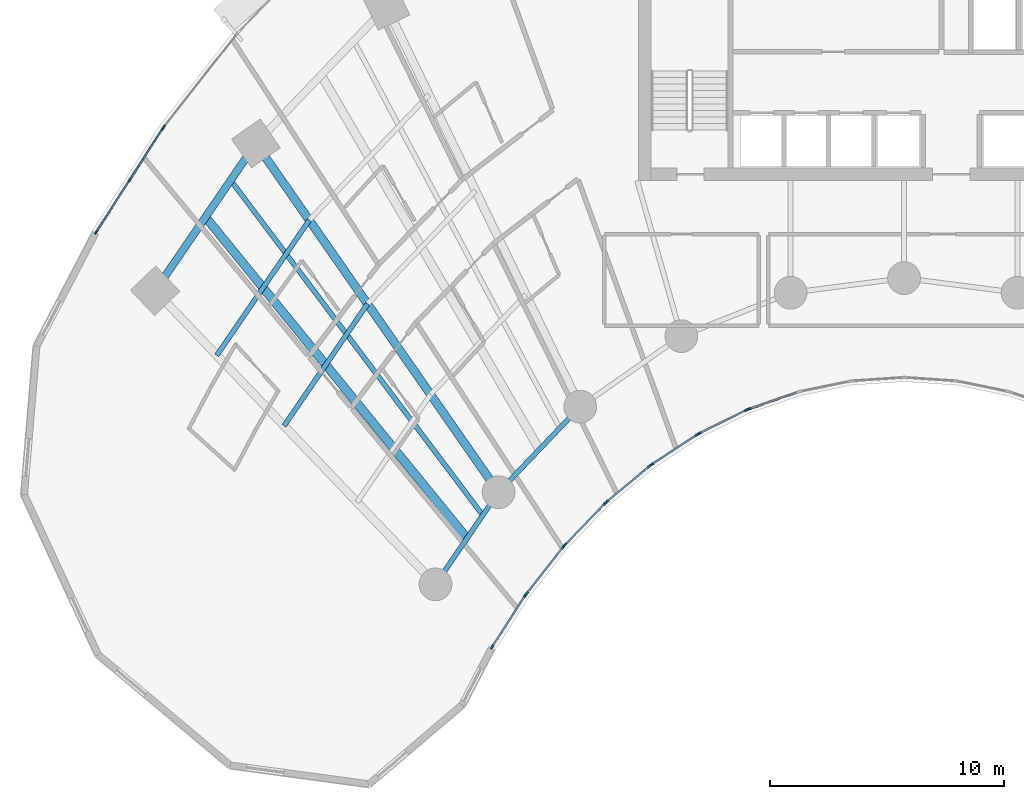
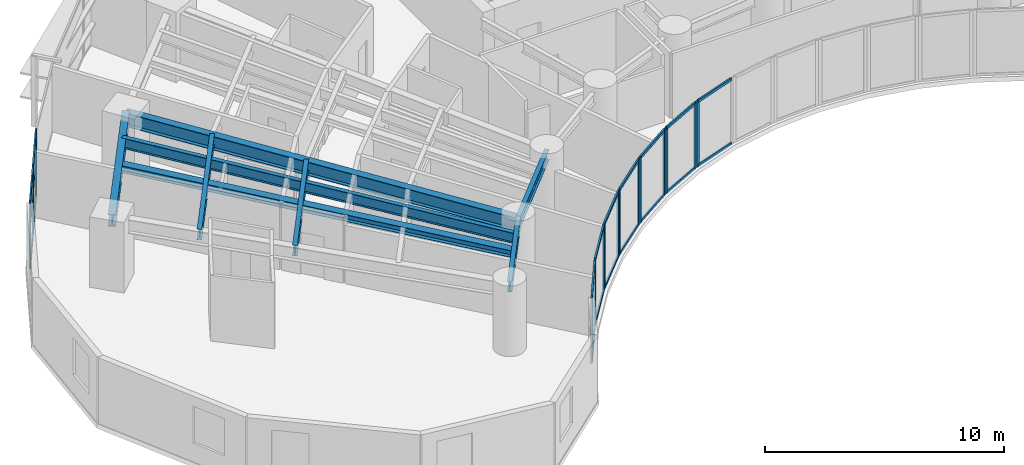
# One storey, part 2 of 18: 37 members, 8 beams, 9 elements without a shape of their own.
"""IFC4 building model written with IfcOpenShell, lengths in metres."""

from ifc_helpers import new_model, si_unit, direction, frame, origin, origin_2d, place, context, subcontext, project, spatial, rectangle, i_section, extrude, source, transform, mapped, material, layer, layer_set, material_profile, profile_set, type_object, type_shapes, element, aggregate, save


model = new_model("IFC4")

# Units and contexts
model_context = context("Model", 3, precision=1e-05, world=origin(), true_north=direction((0.0, 1.0)))
body_context = subcontext(model_context, "Body", "Model", "MODEL_VIEW")
ifc_project = project(units=[si_unit("LENGTHUNIT", "METRE"), si_unit("AREAUNIT", "SQUARE_METRE"), si_unit("VOLUMEUNIT", "CUBIC_METRE"), si_unit("PLANEANGLEUNIT", "RADIAN"), si_unit("MASSUNIT", "GRAM", prefix="KILO")], contexts=[model_context])

# Site, building, storey
site_placement = place(None, origin())
site = spatial("IfcSite", under=ifc_project, at=site_placement, CompositionType="ELEMENT")
building_placement = place(site_placement, origin())
building = spatial("IfcBuilding", under=site, at=building_placement, Name="Breltana Convention Tower", CompositionType="ELEMENT")
storey_placement = place(building_placement, frame((0.0, 0.0, 39.0)))
storey = spatial("IfcBuildingStorey", under=building, at=storey_placement, Name="L07", CompositionType="ELEMENT", Elevation=39.0)

# Beams
ifc_material_1 = material(Name="Steel ASTM A992 Grade 50", Category="steel")
ifc_material_profile_1 = material_profile(ifc_material_1, i_section(OverallWidth=0.323974609375, OverallDepth=0.611083984375, WebThickness=0.0126953125, FlangeThickness=0.01904296875, at=origin_2d()), Name="W24X104")
ifc_profile_set_1 = profile_set([ifc_material_profile_1], Name="Steel ASTM A992 Grade 50")
beam_type_1 = type_object("IfcBeamType", Name="BM-SP-W24X104", PredefinedType="SPANDREL", material=ifc_profile_set_1)
shared_shape_1 = source(origin(), body_context, "Body", "SweptSolid", [
    extrude(i_section(OverallWidth=0.323974609375, OverallDepth=0.611083984375, WebThickness=0.0126953125, FlangeThickness=0.01904296875, at=origin_2d()), origin(), (0.0, 0.0, 1.0), 7.625),
])
type_shapes(beam_type_1, [shared_shape_1])
beam_1_placement = place(storey_placement, frame((16.0068359375, 55.494384765625, 3.054443359375), z_axis=(0.564452031902, 0.825465870694, 0.0), x_axis=(-0.825465870694, 0.564452031902, 0.0)))
element("IfcBeam", 1, at=beam_1_placement, inside=storey, type_object=beam_type_1, Name="L07 Outer Spandrel Beam 01", PredefinedType="SPANDREL", context=body_context, shape_type="MappedRepresentation", body=[
    mapped(shared_shape_1, transform((0.0, 0.0, 0.0), scale=1.0)),
])
ifc_material_profile_2 = material_profile(ifc_material_1, i_section(OverallWidth=0.35498046875, OverallDepth=0.696044921875, WebThickness=0.015380859375, FlangeThickness=0.02490234375, at=origin_2d()), Name="W27X146")
ifc_profile_set_2 = profile_set([ifc_material_profile_2], Name="Steel ASTM A992 Grade 50")
beam_type_2 = type_object("IfcBeamType", Name="BM-RG-W27X146", PredefinedType="USERDEFINED", material=ifc_profile_set_2)
shared_shape_2 = source(origin(), body_context, "Body", "SweptSolid", [
    extrude(i_section(OverallWidth=0.35498046875, OverallDepth=0.696044921875, WebThickness=0.015380859375, FlangeThickness=0.02490234375, at=origin_2d()), origin(), (0.0, 0.0, 1.0), 18.1484375),
])
beam_2_placement = place(storey_placement, frame((30.67724609375, 46.892333984375, 3.011962890625), z_axis=(-0.571207556098, 0.820805657788, 0.0), x_axis=(-0.820805657788, -0.571207556098, 0.0)))
element("IfcBeam", 2, at=beam_2_placement, inside=storey, type_object=beam_type_2, Name="L07 Radial Floor Girder R02", ObjectType="GIRDER", PredefinedType="USERDEFINED", context=body_context, shape_type="MappedRepresentation", body=[
    mapped(shared_shape_2, transform((0.0, 0.0, 0.0), scale=1.0)),
])
ifc_material_profile_3 = material_profile(ifc_material_1, i_section(OverallWidth=0.2099609375, OverallDepth=0.537109375, WebThickness=0.010986328125, FlangeThickness=0.017333984375, at=origin_2d()), Name="W21X68")
ifc_profile_set_3 = profile_set([ifc_material_profile_3], Name="Steel ASTM A992 Grade 50")
beam_type_3 = type_object("IfcBeamType", Name="BM-BM-W21X68", PredefinedType="BEAM", material=ifc_profile_set_3)
shared_shape_3 = source(origin(), body_context, "Body", "SweptSolid", [
    extrude(i_section(OverallWidth=0.2099609375, OverallDepth=0.537109375, WebThickness=0.010986328125, FlangeThickness=0.017333984375, at=origin_2d()), origin(), (0.0, 0.0, 1.0), 4.770263671875),
])
beam_3_placement = place(storey_placement, frame((27.984619140625, 42.95458984375, 3.091552734375), z_axis=(0.564452719055, 0.82546540082, 0.0), x_axis=(-0.82546540082, 0.564452719055, 0.0)))
element("IfcBeam", 3, at=beam_3_placement, inside=storey, type_object=beam_type_3, Name="L07 Inner Ring Beam 01", PredefinedType="BEAM", context=body_context, shape_type="MappedRepresentation", body=[
    mapped(shared_shape_3, transform((0.0, 0.0, 0.0), scale=1.0)),
])
shared_shape_4 = source(origin(), body_context, "Body", "SweptSolid", [
    extrude(i_section(OverallWidth=0.2099609375, OverallDepth=0.537109375, WebThickness=0.010986328125, FlangeThickness=0.017333984375, at=origin_2d()), origin(), (0.0, 0.0, 1.0), 5.05126953125),
])
beam_4_placement = place(storey_placement, frame((30.67724609375, 46.892333984375, 3.091552734375), z_axis=(0.690729753845, 0.7231129975, 0.0), x_axis=(-0.7231129975, 0.690729753845, 0.0)))
element("IfcBeam", 4, at=beam_4_placement, inside=storey, type_object=beam_type_3, Name="L07 Inner Ring Beam 02", PredefinedType="BEAM", context=body_context, shape_type="MappedRepresentation", body=[
    mapped(shared_shape_4, transform((0.0, 0.0, 0.0), scale=1.0)),
])
ifc_material_profile_4 = material_profile(ifc_material_1, i_section(OverallWidth=0.2099609375, OverallDepth=0.537109375, WebThickness=0.010986328125, FlangeThickness=0.017333984375, at=origin_2d()), Name="W21X68")
ifc_profile_set_4 = profile_set([ifc_material_profile_4], Name="Steel ASTM A992 Grade 50")
beam_type_4 = type_object("IfcBeamType", Name="BM-JSG-04", PredefinedType="JOIST", material=ifc_profile_set_4)
shared_shape_5 = source(origin(), body_context, "Body", "SweptSolid", [
    extrude(i_section(OverallWidth=0.2099609375, OverallDepth=0.537109375, WebThickness=0.010986328125, FlangeThickness=0.017333984375, at=origin_2d()), origin(), (0.0, 0.0, 1.0), 6.311767578125),
])
beam_5_placement = place(storey_placement, frame((21.5166015625, 49.72607421875, 3.091552734375), z_axis=(0.564453712577, 0.825464721449, 0.0), x_axis=(-0.825464721449, 0.564453712577, 0.0)))
element("IfcBeam", 5, at=beam_5_placement, inside=storey, type_object=beam_type_4, Name="L07 Composite Floor Joist 01.2", PredefinedType="JOIST", context=body_context, shape_type="MappedRepresentation", body=[
    mapped(shared_shape_5, transform((0.0, 0.0, 0.0), scale=1.0)),
])
shared_shape_6 = source(origin(), body_context, "Body", "SweptSolid", [
    extrude(i_section(OverallWidth=0.2099609375, OverallDepth=0.537109375, WebThickness=0.010986328125, FlangeThickness=0.017333984375, at=origin_2d()), origin(), (0.0, 0.0, 1.0), 6.997314453125),
])
beam_6_placement = place(storey_placement, frame((18.641845703125, 52.735595703125, 3.091552734375), z_axis=(0.564468756361, 0.825454434292, 0.0), x_axis=(-0.825454434292, 0.564468756361, 0.0)))
element("IfcBeam", 6, at=beam_6_placement, inside=storey, type_object=beam_type_4, Name="L07 Composite Floor Joist 01.3", PredefinedType="JOIST", context=body_context, shape_type="MappedRepresentation", body=[
    mapped(shared_shape_6, transform((0.0, 0.0, 0.0), scale=1.0)),
])
ifc_material_profile_5 = material_profile(ifc_material_1, i_section(OverallWidth=0.368896484375, OverallDepth=0.35595703125, WebThickness=0.01123046875, FlangeThickness=0.01806640625, at=origin_2d()), Name="W14X90")
ifc_profile_set_5 = profile_set([ifc_material_profile_5], Name="Steel ASTM A992 Grade 50")
beam_type_5 = type_object("IfcBeamType", Name="BM-JSG-09", PredefinedType="JOIST", material=ifc_profile_set_5)
shared_shape_7 = source(origin(), body_context, "Body", "SweptSolid", [
    extrude(i_section(OverallWidth=0.368896484375, OverallDepth=0.35595703125, WebThickness=0.01123046875, FlangeThickness=0.01806640625, at=origin_2d()), origin(), (0.0, 0.0, 1.0), 17.691650390625),
])
type_shapes(beam_type_5, [shared_shape_7])
beam_7_placement = place(storey_placement, frame((29.330810546875, 44.923583984375, 3.181884765625), z_axis=(-0.631476958478, 0.775394642044, 0.0), x_axis=(-0.775394642044, -0.631476958478, 0.0)))
element("IfcBeam", 7, at=beam_7_placement, inside=storey, type_object=beam_type_5, Name="L07 Mid-Bay Radial Trimmer 01", PredefinedType="JOIST", context=body_context, shape_type="MappedRepresentation", body=[
    mapped(shared_shape_7, transform((0.0, 0.0, 0.0), scale=1.0)),
])
shared_shape_8 = source(origin(), body_context, "Body", "SweptSolid", [
    extrude(i_section(OverallWidth=0.2099609375, OverallDepth=0.537109375, WebThickness=0.010986328125, FlangeThickness=0.017333984375, at=origin_2d()), origin(), (0.0, 0.0, 1.0), 17.9072265625),
])
beam_8_placement = place(storey_placement, frame((30.00390625, 45.907958984375, 3.091552734375), z_axis=(-0.601382105028, 0.798961553363, 0.0), x_axis=(-0.798961553363, -0.601382105028, 0.0)))
element("IfcBeam", 8, at=beam_8_placement, inside=storey, type_object=beam_type_4, Name="L07 Quarter-Bay Radial Trimmer 01", PredefinedType="JOIST", context=body_context, shape_type="MappedRepresentation", body=[
    mapped(shared_shape_8, transform((0.0, 0.0, 0.0), scale=1.0)),
])

# Curtain wall, members
ifc_material_2 = material(Name="Aluminium Anodised Bronze Frame", Category="aluminium")
ifc_layer_1 = layer(ifc_material_2, 0.18994140625, Name="Aluminium Anodised Bronze Frame")
ifc_layer_set_1 = layer_set([ifc_layer_1], Name="Aluminium Anodised Bronze Frame")
curtain_wall_type_1 = type_object("IfcCurtainWallType", Name="CW-SYS-1", PredefinedType="NOTDEFINED", material=ifc_layer_set_1)
curtain_wall_1_placement = place(storey_placement, origin())
curtain_wall_1 = element("IfcCurtainWall", 9, at=curtain_wall_1_placement, inside=storey, type_object=curtain_wall_type_1, Name="L07 inner south-court glazing 16", PredefinedType="NOTDEFINED")
ifc_material_3 = material(Name="Aluminium Anodised Bronze", Category="aluminium")
ifc_material_profile_6 = material_profile(ifc_material_3, rectangle(XDim=0.080078125, YDim=0.139892578125, at=origin_2d()), Name="CWT-80X140")
ifc_profile_set_6 = profile_set([ifc_material_profile_6], Name="Aluminium Anodised Bronze")
member_type_1 = type_object("IfcMemberType", Name="CWT-140", PredefinedType="USERDEFINED", material=ifc_profile_set_6)
shared_shape_9 = source(origin(), body_context, "Body", "SweptSolid", [
    extrude(rectangle(XDim=0.080078125, YDim=0.139892578125, at=origin_2d()), origin(), (0.0, 0.0, 1.0), 2.38720703125),
])
type_shapes(member_type_1, [shared_shape_9])
member_1_placement = place(storey_placement, frame((35.2021484375, 46.385009765625, 0.0400390625), z_axis=(-0.694623715393, -0.719373264734, 0.0), x_axis=(0.719373264734, -0.694623715393, 0.0)))
member_1 = element("IfcMember", 10, at=member_1_placement, type_object=member_type_1, Name="CW-01 transom 1.1", ObjectType="TRANSOM", PredefinedType="USERDEFINED", context=body_context, shape_type="MappedRepresentation", body=[
    mapped(shared_shape_9, transform((0.0, 0.0, 0.0), scale=1.0)),
])
member_2_placement = place(storey_placement, frame((35.2021484375, 46.385009765625, 3.320068359375), z_axis=(-0.694623715393, -0.719373264734, 0.0), x_axis=(0.719373264734, -0.694623715393, 0.0)))
member_2 = element("IfcMember", 11, at=member_2_placement, type_object=member_type_1, Name="CW-01 transom 1.2", ObjectType="TRANSOM", PredefinedType="USERDEFINED", context=body_context, shape_type="MappedRepresentation", body=[
    mapped(shared_shape_9, transform((0.0, 0.0, 0.0), scale=1.0)),
])

curtain_wall_2_placement = place(storey_placement, origin())
curtain_wall_2 = element("IfcCurtainWall", 12, at=curtain_wall_2_placement, inside=storey, type_object=curtain_wall_type_1, Name="L07 inner south-court glazing 15", PredefinedType="NOTDEFINED")
shared_shape_10 = source(origin(), body_context, "Body", "SweptSolid", [
    extrude(rectangle(XDim=0.080078125, YDim=0.139892578125, at=origin_2d()), origin(), (0.0, 0.0, 1.0), 2.312255859375),
])
member_3_placement = place(storey_placement, frame((37.10888671875, 47.988037109375, 0.0400390625), z_axis=(-0.767900974507, -0.640568570374, 0.0), x_axis=(0.640568570374, -0.767900974507, 0.0)))
member_3 = element("IfcMember", 13, at=member_3_placement, type_object=member_type_1, Name="CW-01 transom 1.1", ObjectType="TRANSOM", PredefinedType="USERDEFINED", context=body_context, shape_type="MappedRepresentation", body=[
    mapped(shared_shape_10, transform((0.0, 0.0, 0.0), scale=1.0)),
])
member_4_placement = place(storey_placement, frame((37.10888671875, 47.988037109375, 3.320068359375), z_axis=(-0.767900974507, -0.640568570374, 0.0), x_axis=(0.640568570374, -0.767900974507, 0.0)))
member_4 = element("IfcMember", 14, at=member_4_placement, type_object=member_type_1, Name="CW-01 transom 1.2", ObjectType="TRANSOM", PredefinedType="USERDEFINED", context=body_context, shape_type="MappedRepresentation", body=[
    mapped(shared_shape_10, transform((0.0, 0.0, 0.0), scale=1.0)),
])

curtain_wall_3_placement = place(storey_placement, origin())
curtain_wall_3 = element("IfcCurtainWall", 15, at=curtain_wall_3_placement, inside=storey, type_object=curtain_wall_type_1, Name="L07 inner south-court glazing 14", PredefinedType="NOTDEFINED")
shared_shape_11 = source(origin(), body_context, "Body", "SweptSolid", [
    extrude(rectangle(XDim=0.080078125, YDim=0.139892578125, at=origin_2d()), origin(), (0.0, 0.0, 1.0), 2.2421875),
])
member_5_placement = place(storey_placement, frame((39.128173828125, 49.325927734375, 0.0400390625), z_axis=(-0.835982353773, -0.548756324957, 0.0), x_axis=(0.548756324957, -0.835982353773, 0.0)))
member_5 = element("IfcMember", 16, at=member_5_placement, type_object=member_type_1, Name="CW-01 transom 1.1", ObjectType="TRANSOM", PredefinedType="USERDEFINED", context=body_context, shape_type="MappedRepresentation", body=[
    mapped(shared_shape_11, transform((0.0, 0.0, 0.0), scale=1.0)),
])
member_6_placement = place(storey_placement, frame((39.128173828125, 49.325927734375, 3.320068359375), z_axis=(-0.835982353773, -0.548756324957, 0.0), x_axis=(0.548756324957, -0.835982353773, 0.0)))
member_6 = element("IfcMember", 17, at=member_6_placement, type_object=member_type_1, Name="CW-01 transom 1.2", ObjectType="TRANSOM", PredefinedType="USERDEFINED", context=body_context, shape_type="MappedRepresentation", body=[
    mapped(shared_shape_11, transform((0.0, 0.0, 0.0), scale=1.0)),
])

curtain_wall_4_placement = place(storey_placement, origin())
curtain_wall_4 = element("IfcCurtainWall", 18, at=curtain_wall_4_placement, inside=storey, type_object=curtain_wall_type_1, Name="L07 inner south-court glazing 13", PredefinedType="NOTDEFINED")
shared_shape_12 = source(origin(), body_context, "Body", "SweptSolid", [
    extrude(rectangle(XDim=0.080078125, YDim=0.139892578125, at=origin_2d()), origin(), (0.0, 0.0, 1.0), 2.180908203125),
])
member_7_placement = place(storey_placement, frame((41.239501953125, 50.384765625, 0.0400390625), z_axis=(-0.895922266369, -0.444210865045, 0.0), x_axis=(0.444210865045, -0.895922266369, 0.0)))
member_7 = element("IfcMember", 19, at=member_7_placement, type_object=member_type_1, Name="CW-01 transom 1.1", ObjectType="TRANSOM", PredefinedType="USERDEFINED", context=body_context, shape_type="MappedRepresentation", body=[
    mapped(shared_shape_12, transform((0.0, 0.0, 0.0), scale=1.0)),
])
member_8_placement = place(storey_placement, frame((41.239501953125, 50.384765625, 3.320068359375), z_axis=(-0.895922266369, -0.444210865045, 0.0), x_axis=(0.444210865045, -0.895922266369, 0.0)))
member_8 = element("IfcMember", 20, at=member_8_placement, type_object=member_type_1, Name="CW-01 transom 1.2", ObjectType="TRANSOM", PredefinedType="USERDEFINED", context=body_context, shape_type="MappedRepresentation", body=[
    mapped(shared_shape_12, transform((0.0, 0.0, 0.0), scale=1.0)),
])

curtain_wall_5_placement = place(storey_placement, origin())
curtain_wall_5 = element("IfcCurtainWall", 21, at=curtain_wall_5_placement, inside=storey, type_object=curtain_wall_type_1, Name="L07 inner south-court glazing 17", PredefinedType="NOTDEFINED")
shared_shape_13 = source(origin(), body_context, "Body", "SweptSolid", [
    extrude(rectangle(XDim=0.080078125, YDim=0.139892578125, at=origin_2d()), origin(), (0.0, 0.0, 1.0), 2.4638671875),
])
member_9_placement = place(storey_placement, frame((33.427001953125, 44.533447265625, 0.0400390625), z_axis=(-0.618184689608, -0.786032880695, 0.0), x_axis=(0.786032880695, -0.618184689608, 0.0)))
member_9 = element("IfcMember", 22, at=member_9_placement, type_object=member_type_1, Name="CW-01 transom 1.1", ObjectType="TRANSOM", PredefinedType="USERDEFINED", context=body_context, shape_type="MappedRepresentation", body=[
    mapped(shared_shape_13, transform((0.0, 0.0, 0.0), scale=1.0)),
])
member_10_placement = place(storey_placement, frame((33.427001953125, 44.533447265625, 3.320068359375), z_axis=(-0.618184689608, -0.786032880695, 0.0), x_axis=(0.786032880695, -0.618184689608, 0.0)))
member_10 = element("IfcMember", 23, at=member_10_placement, type_object=member_type_1, Name="CW-01 transom 1.2", ObjectType="TRANSOM", PredefinedType="USERDEFINED", context=body_context, shape_type="MappedRepresentation", body=[
    mapped(shared_shape_13, transform((0.0, 0.0, 0.0), scale=1.0)),
])

curtain_wall_6_placement = place(storey_placement, origin())
curtain_wall_6 = element("IfcCurtainWall", 24, at=curtain_wall_6_placement, inside=storey, type_object=curtain_wall_type_1, Name="L07 inner south-court glazing 18", PredefinedType="NOTDEFINED")
shared_shape_14 = source(origin(), body_context, "Body", "SweptSolid", [
    extrude(rectangle(XDim=0.080078125, YDim=0.139892578125, at=origin_2d()), origin(), (0.0, 0.0, 1.0), 2.53955078125),
])
member_11_placement = place(storey_placement, frame((31.801025390625, 42.452392578125, 0.0400390625), z_axis=(-0.540174413174, -0.841553090038, 0.0), x_axis=(0.841553090038, -0.540174413174, 0.0)))
member_11 = element("IfcMember", 25, at=member_11_placement, type_object=member_type_1, Name="CW-01 transom 1.1", ObjectType="TRANSOM", PredefinedType="USERDEFINED", context=body_context, shape_type="MappedRepresentation", body=[
    mapped(shared_shape_14, transform((0.0, 0.0, 0.0), scale=1.0)),
])
member_12_placement = place(storey_placement, frame((31.801025390625, 42.452392578125, 3.320068359375), z_axis=(-0.540174413174, -0.841553090038, 0.0), x_axis=(0.841553090038, -0.540174413174, 0.0)))
member_12 = element("IfcMember", 26, at=member_12_placement, type_object=member_type_1, Name="CW-01 transom 1.2", ObjectType="TRANSOM", PredefinedType="USERDEFINED", context=body_context, shape_type="MappedRepresentation", body=[
    mapped(shared_shape_14, transform((0.0, 0.0, 0.0), scale=1.0)),
])

# Curtain wall, member
curtain_wall_7_placement = place(storey_placement, origin())
curtain_wall_7 = element("IfcCurtainWall", 27, at=curtain_wall_7_placement, inside=storey, type_object=curtain_wall_type_1, Name="L07 inner south-court glazing 12", PredefinedType="NOTDEFINED")
ifc_material_profile_7 = material_profile(ifc_material_3, rectangle(XDim=0.080078125, YDim=0.199951171875, at=origin_2d()), Name="CWM-80X200")
ifc_profile_set_7 = profile_set([ifc_material_profile_7], Name="Aluminium Anodised Bronze")
member_type_2 = type_object("IfcMemberType", Name="CWM-200", PredefinedType="MULLION", material=ifc_profile_set_7)
shared_shape_15 = source(origin(), body_context, "Body", "SweptSolid", [
    extrude(rectangle(XDim=0.080078125, YDim=0.199951171875, at=origin_2d()), origin(), (0.0, 0.0, 1.0), 3.360107421875),
])
member_13_placement = place(storey_placement, frame((41.3701171875, 50.442138671875, 0.0), z_axis=(0.0, 0.0, 1.0), x_axis=(0.327413341714, -0.944881211406, 0.0)))
member_13 = element("IfcMember", 28, at=member_13_placement, type_object=member_type_2, Name="CW-01 mullion 2", PredefinedType="MULLION", context=body_context, shape_type="MappedRepresentation", body=[
    mapped(shared_shape_15, transform((0.0, 0.0, 0.0), scale=1.0)),
])

# Member
member_14_placement = place(storey_placement, frame((41.275390625, 50.40234375, 0.0), z_axis=(0.0, 0.0, 1.0), x_axis=(0.444117987602, -0.895968310315, 0.0)))
member_14 = element("IfcMember", 29, at=member_14_placement, type_object=member_type_2, Name="CW-01 mullion 1", PredefinedType="MULLION", context=body_context, shape_type="MappedRepresentation", body=[
    mapped(shared_shape_15, transform((0.0, 0.0, 0.0), scale=1.0)),
])

member_15_placement = place(storey_placement, frame((39.249755859375, 49.3984375, 0.0), z_axis=(0.0, 0.0, 1.0), x_axis=(0.444117987602, -0.895968310315, 0.0)))
member_15 = element("IfcMember", 30, at=member_15_placement, type_object=member_type_2, Name="CW-01 mullion 2", PredefinedType="MULLION", context=body_context, shape_type="MappedRepresentation", body=[
    mapped(shared_shape_15, transform((0.0, 0.0, 0.0), scale=1.0)),
])

aggregate(curtain_wall_4, [member_14, member_15, member_7, member_8])

member_16_placement = place(storey_placement, frame((39.16162109375, 49.347900390625, 0.0), z_axis=(0.0, 0.0, 1.0), x_axis=(0.548778278441, -0.835967942634, 0.0)))
member_16 = element("IfcMember", 31, at=member_16_placement, type_object=member_type_2, Name="CW-01 mullion 1", PredefinedType="MULLION", context=body_context, shape_type="MappedRepresentation", body=[
    mapped(shared_shape_15, transform((0.0, 0.0, 0.0), scale=1.0)),
])

member_17_placement = place(storey_placement, frame((37.220458984375, 48.073486328125, 0.0), z_axis=(0.0, 0.0, 1.0), x_axis=(0.548778278441, -0.835967942634, 0.0)))
member_17 = element("IfcMember", 32, at=member_17_placement, type_object=member_type_2, Name="CW-01 mullion 2", PredefinedType="MULLION", context=body_context, shape_type="MappedRepresentation", body=[
    mapped(shared_shape_15, transform((0.0, 0.0, 0.0), scale=1.0)),
])

aggregate(curtain_wall_3, [member_16, member_17, member_5, member_6])

member_18_placement = place(storey_placement, frame((37.1396484375, 48.013671875, 0.0), z_axis=(0.0, 0.0, 1.0), x_axis=(0.640522524458, -0.767939382804, 0.0)))
member_18 = element("IfcMember", 33, at=member_18_placement, type_object=member_type_2, Name="CW-01 mullion 1", PredefinedType="MULLION", context=body_context, shape_type="MappedRepresentation", body=[
    mapped(shared_shape_15, transform((0.0, 0.0, 0.0), scale=1.0)),
])

member_19_placement = place(storey_placement, frame((35.302734375, 46.481201171875, 0.0), z_axis=(0.0, 0.0, 1.0), x_axis=(0.640522524458, -0.767939382804, 0.0)))
member_19 = element("IfcMember", 34, at=member_19_placement, type_object=member_type_2, Name="CW-01 mullion 2", PredefinedType="MULLION", context=body_context, shape_type="MappedRepresentation", body=[
    mapped(shared_shape_15, transform((0.0, 0.0, 0.0), scale=1.0)),
])

aggregate(curtain_wall_2, [member_18, member_19, member_3, member_4])

member_20_placement = place(storey_placement, frame((35.22998046875, 46.413818359375, 0.0), z_axis=(0.0, 0.0, 1.0), x_axis=(0.719384548773, -0.694612029111, 0.0)))
member_20 = element("IfcMember", 35, at=member_20_placement, type_object=member_type_2, Name="CW-01 mullion 1", PredefinedType="MULLION", context=body_context, shape_type="MappedRepresentation", body=[
    mapped(shared_shape_15, transform((0.0, 0.0, 0.0), scale=1.0)),
])

member_21_placement = place(storey_placement, frame((33.51611328125, 44.638916015625, 0.0), z_axis=(0.0, 0.0, 1.0), x_axis=(0.719384548773, -0.694612029111, 0.0)))
member_21 = element("IfcMember", 36, at=member_21_placement, type_object=member_type_2, Name="CW-01 mullion 2", PredefinedType="MULLION", context=body_context, shape_type="MappedRepresentation", body=[
    mapped(shared_shape_15, transform((0.0, 0.0, 0.0), scale=1.0)),
])

aggregate(curtain_wall_1, [member_20, member_21, member_1, member_2])

member_22_placement = place(storey_placement, frame((33.45166015625, 44.56494140625, 0.0), z_axis=(0.0, 0.0, 1.0), x_axis=(0.786057762734, -0.61815305034, 0.0)))
member_22 = element("IfcMember", 37, at=member_22_placement, type_object=member_type_2, Name="CW-01 mullion 1", PredefinedType="MULLION", context=body_context, shape_type="MappedRepresentation", body=[
    mapped(shared_shape_15, transform((0.0, 0.0, 0.0), scale=1.0)),
])

member_23_placement = place(storey_placement, frame((31.87890625, 42.565185546875, 0.0), z_axis=(0.0, 0.0, 1.0), x_axis=(0.786057762734, -0.61815305034, 0.0)))
member_23 = element("IfcMember", 38, at=member_23_placement, type_object=member_type_2, Name="CW-01 mullion 2", PredefinedType="MULLION", context=body_context, shape_type="MappedRepresentation", body=[
    mapped(shared_shape_15, transform((0.0, 0.0, 0.0), scale=1.0)),
])

aggregate(curtain_wall_5, [member_22, member_23, member_9, member_10])

member_24_placement = place(storey_placement, frame((31.82275390625, 42.48583984375, 0.0), z_axis=(0.0, 0.0, 1.0), x_axis=(0.841556194767, -0.540169576197, 0.0)))
member_24 = element("IfcMember", 39, at=member_24_placement, type_object=member_type_2, Name="CW-01 mullion 1", PredefinedType="MULLION", context=body_context, shape_type="MappedRepresentation", body=[
    mapped(shared_shape_15, transform((0.0, 0.0, 0.0), scale=1.0)),
])

member_25_placement = place(storey_placement, frame((30.40771484375, 40.281494140625, 0.0), z_axis=(0.0, 0.0, 1.0), x_axis=(0.841556194767, -0.540169576197, 0.0)))
member_25 = element("IfcMember", 40, at=member_25_placement, type_object=member_type_2, Name="CW-01 mullion 2", PredefinedType="MULLION", context=body_context, shape_type="MappedRepresentation", body=[
    mapped(shared_shape_15, transform((0.0, 0.0, 0.0), scale=1.0)),
])

aggregate(curtain_wall_6, [member_24, member_25, member_11, member_12])

shared_shape_16 = source(origin(), body_context, "Body", "SweptSolid", [
    extrude(rectangle(XDim=0.080078125, YDim=0.139892578125, at=origin_2d()), origin(), (0.0, 0.0, 1.0), 2.131103515625),
])
member_26_placement = place(storey_placement, frame((43.421630859375, 51.153076171875, 0.0400390625), z_axis=(-0.944847069856, -0.327511854112, 0.0), x_axis=(0.327511854112, -0.944847069856, 0.0)))
member_26 = element("IfcMember", 41, at=member_26_placement, type_object=member_type_1, Name="CW-01 transom 1.1", ObjectType="TRANSOM", PredefinedType="USERDEFINED", context=body_context, shape_type="MappedRepresentation", body=[
    mapped(shared_shape_16, transform((0.0, 0.0, 0.0), scale=1.0)),
])

member_27_placement = place(storey_placement, frame((43.421630859375, 51.153076171875, 3.320068359375), z_axis=(-0.944847069856, -0.327511854112, 0.0), x_axis=(0.327511854112, -0.944847069856, 0.0)))
member_27 = element("IfcMember", 42, at=member_27_placement, type_object=member_type_1, Name="CW-01 transom 1.2", ObjectType="TRANSOM", PredefinedType="USERDEFINED", context=body_context, shape_type="MappedRepresentation", body=[
    mapped(shared_shape_16, transform((0.0, 0.0, 0.0), scale=1.0)),
])

aggregate(curtain_wall_7, [member_13, member_26, member_27])

# Curtain wall, members
ifc_layer_2 = layer(ifc_material_2, 0.199951171875, Name="Aluminium Anodised Bronze Frame")
ifc_layer_set_2 = layer_set([ifc_layer_2], Name="Aluminium Anodised Bronze Frame")
curtain_wall_type_2 = type_object("IfcCurtainWallType", Name="CW-SYS-2", PredefinedType="NOTDEFINED", material=ifc_layer_set_2)
curtain_wall_8_placement = place(storey_placement, origin())
curtain_wall_8 = element("IfcCurtainWall", 43, at=curtain_wall_8_placement, inside=storey, type_object=curtain_wall_type_2, Name="L07 outer double-skin inner glazing 1", PredefinedType="NOTDEFINED")
ifc_material_profile_8 = material_profile(ifc_material_3, rectangle(XDim=0.070068359375, YDim=0.175048828125, at=origin_2d()), Name="CWM-70X175")
ifc_profile_set_8 = profile_set([ifc_material_profile_8], Name="Aluminium Anodised Bronze")
member_type_3 = type_object("IfcMemberType", Name="CWM-175", PredefinedType="MULLION", material=ifc_profile_set_8)
shared_shape_17 = source(origin(), body_context, "Body", "SweptSolid", [
    extrude(rectangle(XDim=0.070068359375, YDim=0.175048828125, at=origin_2d()), origin(), (0.0, 0.0, 1.0), 3.360107421875),
])
type_shapes(member_type_3, [shared_shape_17])
member_28_placement = place(storey_placement, frame((13.487060546875, 57.993896484375, 0.0), z_axis=(0.0, 0.0, 1.0), x_axis=(-0.841549039154, 0.540180724109, 0.0)))
member_28 = element("IfcMember", 44, at=member_28_placement, type_object=member_type_3, Name="CW-02 mullion 1", PredefinedType="MULLION", context=body_context, shape_type="MappedRepresentation", body=[
    mapped(shared_shape_17, transform((0.0, 0.0, 0.0), scale=1.0)),
])
member_29_placement = place(storey_placement, frame((14.911865234375, 60.2138671875, 0.0), z_axis=(0.0, 0.0, 1.0), x_axis=(-0.841549039154, 0.540180724109, 0.0)))
member_29 = element("IfcMember", 45, at=member_29_placement, type_object=member_type_3, Name="CW-02 mullion 2", PredefinedType="MULLION", context=body_context, shape_type="MappedRepresentation", body=[
    mapped(shared_shape_17, transform((0.0, 0.0, 0.0), scale=1.0)),
])
member_30_placement = place(storey_placement, frame((16.3369140625, 62.43359375, 0.0), z_axis=(0.0, 0.0, 1.0), x_axis=(-0.841549039154, 0.540180724109, 0.0)))
member_30 = element("IfcMember", 46, at=member_30_placement, type_object=member_type_3, Name="CW-02 mullion 3", PredefinedType="MULLION", context=body_context, shape_type="MappedRepresentation", body=[
    mapped(shared_shape_17, transform((0.0, 0.0, 0.0), scale=1.0)),
])

# Curtain wall, member
curtain_wall_9_placement = place(storey_placement, origin())
curtain_wall_9 = element("IfcCurtainWall", 47, at=curtain_wall_9_placement, inside=storey, type_object=curtain_wall_type_2, Name="L07 outer double-skin inner glazing 2", PredefinedType="NOTDEFINED")
member_31_placement = place(storey_placement, frame((16.37744140625, 62.49072265625, 0.0), z_axis=(0.0, 0.0, 1.0), x_axis=(-0.786057080698, 0.618153917633, 0.0)))
member_31 = element("IfcMember", 48, at=member_31_placement, type_object=member_type_3, Name="CW-02 mullion 1", PredefinedType="MULLION", context=body_context, shape_type="MappedRepresentation", body=[
    mapped(shared_shape_17, transform((0.0, 0.0, 0.0), scale=1.0)),
])
aggregate(curtain_wall_9, [member_31])

# Member
ifc_material_profile_9 = material_profile(ifc_material_3, rectangle(XDim=0.070068359375, YDim=0.1201171875, at=origin_2d()), Name="CWT-70X120")
ifc_profile_set_9 = profile_set([ifc_material_profile_9], Name="Aluminium Anodised Bronze")
member_type_4 = type_object("IfcMemberType", Name="CWT-120", PredefinedType="USERDEFINED", material=ifc_profile_set_9)
shared_shape_18 = source(origin(), body_context, "Body", "SweptSolid", [
    extrude(rectangle(XDim=0.070068359375, YDim=0.1201171875, at=origin_2d()), origin(), (0.0, 0.0, 1.0), 2.56787109375),
])
type_shapes(member_type_4, [shared_shape_18])
member_32_placement = place(storey_placement, frame((13.505859375, 58.0234375, 0.034912109375), z_axis=(0.54022409371, 0.841521199124, 0.0), x_axis=(-0.841521199124, 0.54022409371, 0.0)))
member_32 = element("IfcMember", 49, at=member_32_placement, type_object=member_type_4, Name="CW-02 transom 1.1", ObjectType="TRANSOM", PredefinedType="USERDEFINED", context=body_context, shape_type="MappedRepresentation", body=[
    mapped(shared_shape_18, transform((0.0, 0.0, 0.0), scale=1.0)),
])

member_33_placement = place(storey_placement, frame((13.505859375, 58.0234375, 2.18408203125), z_axis=(0.54022409371, 0.841521199124, 0.0), x_axis=(-0.841521199124, 0.54022409371, 0.0)))
member_33 = element("IfcMember", 50, at=member_33_placement, type_object=member_type_4, Name="CW-02 transom 1.2", ObjectType="TRANSOM", PredefinedType="USERDEFINED", context=body_context, shape_type="MappedRepresentation", body=[
    mapped(shared_shape_18, transform((0.0, 0.0, 0.0), scale=1.0)),
])

member_34_placement = place(storey_placement, frame((13.505859375, 58.0234375, 3.324951171875), z_axis=(0.54022409371, 0.841521199124, 0.0), x_axis=(-0.841521199124, 0.54022409371, 0.0)))
member_34 = element("IfcMember", 51, at=member_34_placement, type_object=member_type_4, Name="CW-02 transom 1.3", ObjectType="TRANSOM", PredefinedType="USERDEFINED", context=body_context, shape_type="MappedRepresentation", body=[
    mapped(shared_shape_18, transform((0.0, 0.0, 0.0), scale=1.0)),
])

member_35_placement = place(storey_placement, frame((14.930908203125, 60.2431640625, 0.034912109375), z_axis=(0.540113540427, 0.841592159806, 0.0), x_axis=(-0.841592159806, 0.540113540427, 0.0)))
member_35 = element("IfcMember", 52, at=member_35_placement, type_object=member_type_4, Name="CW-02 transom 2.1", ObjectType="TRANSOM", PredefinedType="USERDEFINED", context=body_context, shape_type="MappedRepresentation", body=[
    mapped(shared_shape_18, transform((0.0, 0.0, 0.0), scale=1.0)),
])

member_36_placement = place(storey_placement, frame((14.930908203125, 60.2431640625, 2.18408203125), z_axis=(0.540113540427, 0.841592159806, 0.0), x_axis=(-0.841592159806, 0.540113540427, 0.0)))
member_36 = element("IfcMember", 53, at=member_36_placement, type_object=member_type_4, Name="CW-02 transom 2.2", ObjectType="TRANSOM", PredefinedType="USERDEFINED", context=body_context, shape_type="MappedRepresentation", body=[
    mapped(shared_shape_18, transform((0.0, 0.0, 0.0), scale=1.0)),
])

member_37_placement = place(storey_placement, frame((14.930908203125, 60.2431640625, 3.324951171875), z_axis=(0.540113540427, 0.841592159806, 0.0), x_axis=(-0.841592159806, 0.540113540427, 0.0)))
member_37 = element("IfcMember", 54, at=member_37_placement, type_object=member_type_4, Name="CW-02 transom 2.3", ObjectType="TRANSOM", PredefinedType="USERDEFINED", context=body_context, shape_type="MappedRepresentation", body=[
    mapped(shared_shape_18, transform((0.0, 0.0, 0.0), scale=1.0)),
])

aggregate(curtain_wall_8, [member_28, member_29, member_30, member_32, member_33, member_34, member_35, member_36, member_37])

save(model, "model.ifc")
